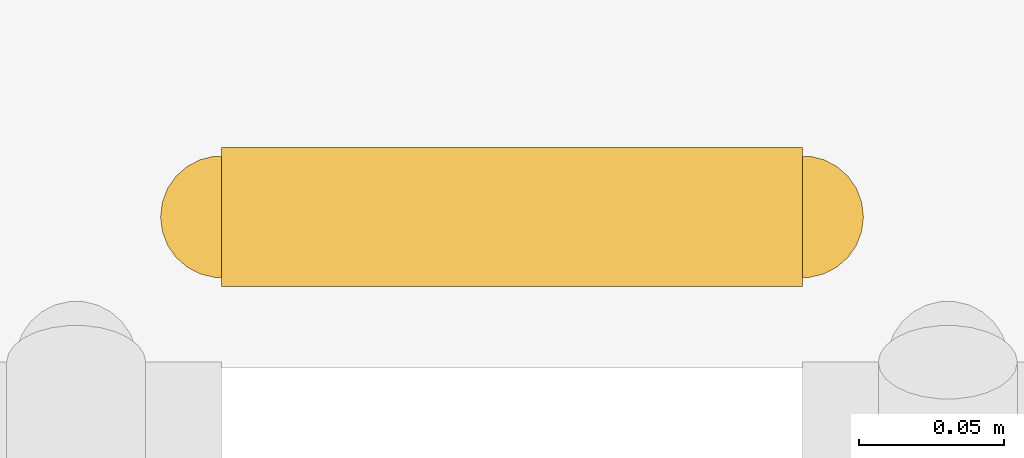
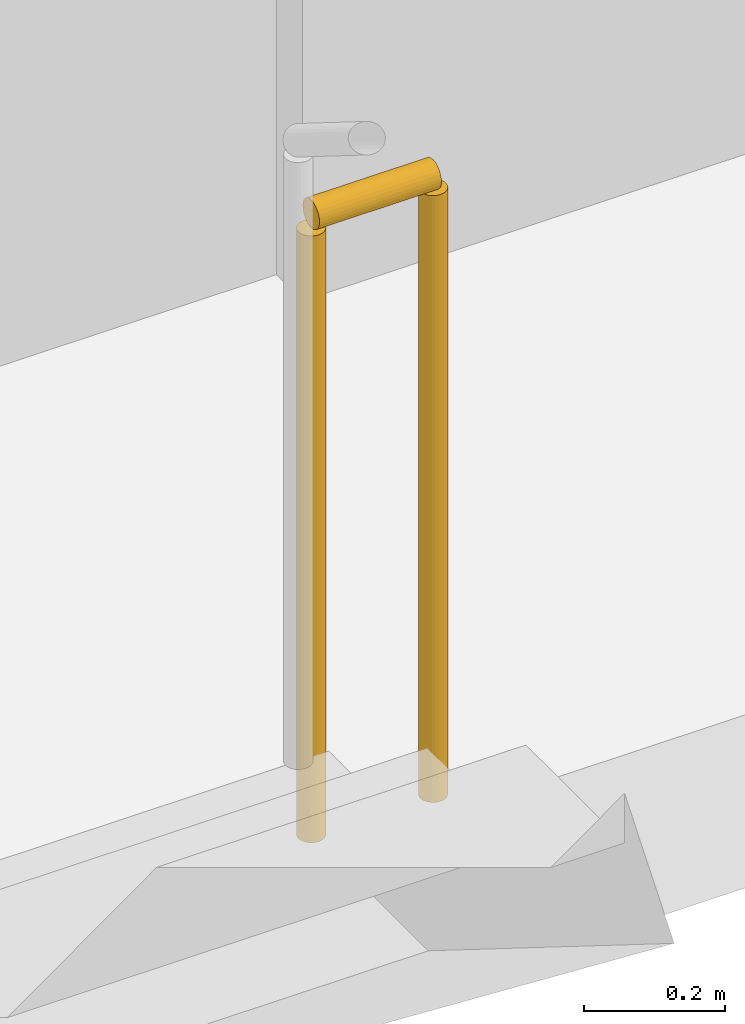
# One storey, part 21 of 21: 1 railing.
"""IFC4 building model written with IfcOpenShell, lengths in metres."""

from ifc_helpers import new_model, si_unit, direction, frame, origin, origin_2d, place, context, subcontext, project, spatial, circle, extrude, material, type_object, element, save


model = new_model("IFC4")

# Units and contexts
model_context = context("Model", 3, precision=1e-05, world=origin(), true_north=direction((0.0, 1.0)))
body_context = subcontext(model_context, "Body", "Model", "MODEL_VIEW")
ifc_project = project(units=[si_unit("LENGTHUNIT", "METRE"), si_unit("AREAUNIT", "SQUARE_METRE"), si_unit("VOLUMEUNIT", "CUBIC_METRE"), si_unit("PLANEANGLEUNIT", "RADIAN"), si_unit("MASSUNIT", "GRAM", prefix="KILO")], contexts=[model_context])

# Site, building, storey
site_placement = place(None, origin())
site = spatial("IfcSite", under=ifc_project, at=site_placement, CompositionType="ELEMENT")
building_placement = place(site_placement, origin())
building = spatial("IfcBuilding", under=site, at=building_placement, Name="Kiln Ring Residences", CompositionType="ELEMENT")
storey_placement = place(building_placement, frame((0.0, 0.0, 114.800048828125)))
storey = spatial("IfcBuildingStorey", under=building, at=storey_placement, Name="L29", CompositionType="ELEMENT", Elevation=114.800048828125)

# Railing
ifc_material = material(Name="Stainless steel", Category="steel")
railing_type = type_object("IfcRailingType", Name="CORE-STAIR-GUARD", PredefinedType="GUARDRAIL", material=ifc_material)
railing_placement = place(storey_placement, frame((22.0, 8.449951171875, 0.0)))
element("IfcRailing", 1, at=railing_placement, inside=storey, type_object=railing_type, Name="L29 E-STN stair guard 4", PredefinedType="GUARDRAIL", context=body_context, shape_type="SweptSolid", body=[
    extrude(circle(Radius=0.02392578125, at=origin_2d()), frame((0.0, 0.0, 1.076171875), z_axis=(1.0, 0.0, 0.0), x_axis=(0.0, 1.0, 0.0)), (0.0, 0.0, 1.0), 0.199951171875),
    extrude(circle(Radius=0.02099609375, at=origin_2d()), origin(), (0.0, 0.0, 1.0), 1.052001953125),
    extrude(circle(Radius=0.02099609375, at=origin_2d()), frame((0.199951171875, 0.0, 0.0)), (0.0, 0.0, 1.0), 1.052001953125),
])

save(model, "model.ifc")
